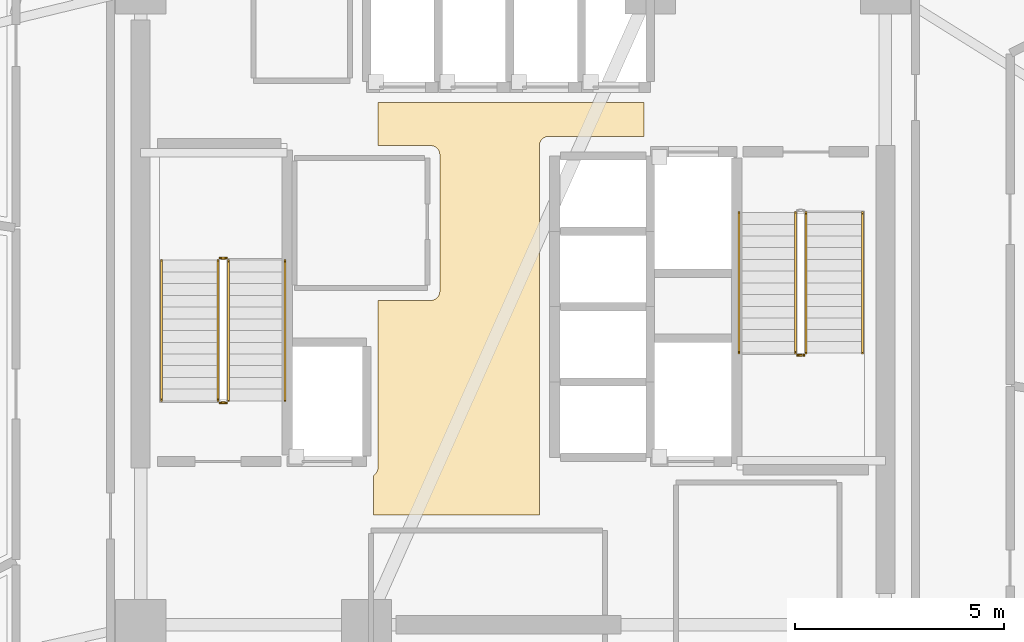
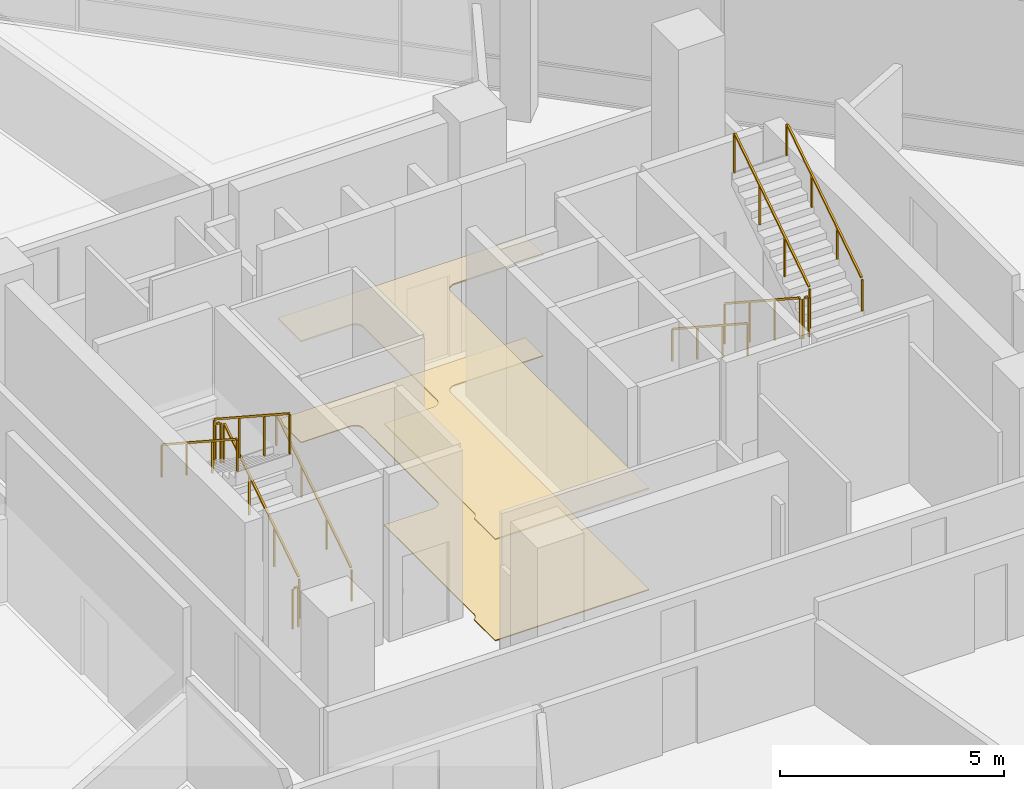
# One storey, part 16 of 18: 11 railings, 2 coverings.
"""IFC4 building model written with IfcOpenShell, lengths in metres."""

from ifc_helpers import new_model, si_unit, direction, frame, origin, origin_2d, place, context, subcontext, project, spatial, polyline, rectangle, outline, extrude, material, layer, layer_set, type_object, element, save


model = new_model("IFC4")

# Units and contexts
model_context = context("Model", 3, precision=1e-05, world=origin(), true_north=direction((0.0, 1.0)))
body_context = subcontext(model_context, "Body", "Model", "MODEL_VIEW")
ifc_project = project(units=[si_unit("LENGTHUNIT", "METRE"), si_unit("AREAUNIT", "SQUARE_METRE"), si_unit("VOLUMEUNIT", "CUBIC_METRE"), si_unit("PLANEANGLEUNIT", "RADIAN"), si_unit("MASSUNIT", "GRAM", prefix="KILO")], contexts=[model_context])

# Site, building, storey
site_placement = place(None, origin())
site = spatial("IfcSite", under=ifc_project, at=site_placement, CompositionType="ELEMENT")
building_placement = place(site_placement, origin())
building = spatial("IfcBuilding", under=site, at=building_placement, Name="Tharavind Bronze Gate", CompositionType="ELEMENT")
storey_placement = place(building_placement, frame((0.0, 0.0, 107.699951171875)))
storey = spatial("IfcBuildingStorey", under=building, at=storey_placement, Name="L27", CompositionType="ELEMENT", Elevation=107.699951171875)

# Coverings
ifc_material_1 = material(Name="Perforated Bronze Acoustic Panel", Category="bronze")
ifc_layer_1 = layer(ifc_material_1, 0.044921875)
ifc_layer_set_1 = layer_set([ifc_layer_1], Name="Perforated Bronze Acoustic Panel")
covering_type_1 = type_object("IfcCoveringType", Name="ACOUSTIC BRONZE BAFFLE CEILING", PredefinedType="CEILING", material=ifc_layer_set_1)
covering_1_placement = place(storey_placement, frame((0.0, 0.0, 2.75)))
element("IfcCovering", 1, at=covering_1_placement, inside=storey, type_object=covering_type_1, Name="L27-C-LL suspended ceiling", PredefinedType="CEILING", context=body_context, shape_type="SweptSolid", body=[
    extrude(outline(polyline([(-3.330078125, -4.97998046875), (0.6298828125, -4.97998046875), (0.6298828125, 3.85009765625), (0.631103515625, 3.87158203125), (0.63427734375, 3.892822265625), (0.639404296875, 3.913818359375), (0.646728515625, 3.93408203125), (0.656005859375, 3.95361328125), (0.6669921875, 3.97216796875), (0.679931640625, 3.989501953125), (0.6943359375, 4.005615234375), (0.71044921875, 4.02001953125), (0.727783203125, 4.032958984375), (0.746337890625, 4.0439453125), (0.765869140625, 4.05322265625), (0.7861328125, 4.060546875), (0.80712890625, 4.06591796875), (0.828369140625, 4.06884765625), (0.85009765625, 4.070068359375), (3.1298828125, 4.070068359375), (3.1298828125, 4.8798828125), (-3.22998046875, 4.8798828125), (-3.22998046875, 3.85009765625), (-1.969970703125, 3.85009765625), (-1.948486328125, 3.848876953125), (-1.927001953125, 3.845703125), (-1.906005859375, 3.840576171875), (-1.8857421875, 3.833251953125), (-1.8662109375, 3.823974609375), (-1.847900390625, 3.81298828125), (-1.830322265625, 3.800048828125), (-1.814453125, 3.78564453125), (-1.7998046875, 3.76953125), (-1.787109375, 3.752197265625), (-1.77587890625, 3.733642578125), (-1.7666015625, 3.714111328125), (-1.759521484375, 3.69384765625), (-1.754150390625, 3.6728515625), (-1.751220703125, 3.651611328125), (-1.75, 3.6298828125), (-1.75, 0.3701171875), (-1.751220703125, 0.348388671875), (-1.754150390625, 0.3271484375), (-1.759521484375, 0.30615234375), (-1.7666015625, 0.285888671875), (-1.77587890625, 0.266357421875), (-1.787109375, 0.247802734375), (-1.7998046875, 0.23046875), (-1.814453125, 0.21435546875), (-1.830322265625, 0.199951171875), (-1.847900390625, 0.18701171875), (-1.8662109375, 0.176025390625), (-1.8857421875, 0.166748046875), (-1.906005859375, 0.159423828125), (-1.927001953125, 0.154296875), (-1.948486328125, 0.151123046875), (-1.969970703125, 0.14990234375), (-3.22998046875, 0.14990234375), (-3.22998046875, -3.85009765625), (-3.231201171875, -3.87158203125), (-3.234130859375, -3.892822265625), (-3.239501953125, -3.913818359375), (-3.24658203125, -3.93408203125), (-3.256103515625, -3.95361328125), (-3.26708984375, -3.97216796875), (-3.27978515625, -3.989501953125), (-3.29443359375, -4.005615234375), (-3.310302734375, -4.02001953125), (-3.327880859375, -4.032958984375), (-3.330078125, -4.0341796875), (-3.330078125, -4.97998046875)])), origin(), (0.0, 0.0, 1.0), 0.03515625),
])
ifc_material_2 = material(Name="Honed Travertine Limestone", Category="masonry")
ifc_layer_2 = layer(ifc_material_2, 0.030029296875)
ifc_layer_set_2 = layer_set([ifc_layer_2], Name="Honed Travertine Limestone")
covering_type_2 = type_object("IfcCoveringType", Name="HONED LIMESTONE FLOORING", PredefinedType="FLOORING", material=ifc_layer_set_2)
covering_2_placement = place(storey_placement, origin())
element("IfcCovering", 2, at=covering_2_placement, inside=storey, type_object=covering_type_2, Name="L27-C-LL floor finish", PredefinedType="FLOORING", context=body_context, shape_type="SweptSolid", body=[
    extrude(outline(polyline([(-3.330078125, -4.97998046875), (0.6298828125, -4.97998046875), (0.6298828125, 3.85009765625), (0.631103515625, 3.87158203125), (0.63427734375, 3.892822265625), (0.639404296875, 3.913818359375), (0.646728515625, 3.93408203125), (0.656005859375, 3.95361328125), (0.6669921875, 3.97216796875), (0.679931640625, 3.989501953125), (0.6943359375, 4.005615234375), (0.71044921875, 4.02001953125), (0.727783203125, 4.032958984375), (0.746337890625, 4.0439453125), (0.765869140625, 4.05322265625), (0.7861328125, 4.060546875), (0.80712890625, 4.06591796875), (0.828369140625, 4.06884765625), (0.85009765625, 4.070068359375), (3.1298828125, 4.070068359375), (3.1298828125, 4.8798828125), (-3.22998046875, 4.8798828125), (-3.22998046875, 3.85009765625), (-1.969970703125, 3.85009765625), (-1.948486328125, 3.848876953125), (-1.927001953125, 3.845703125), (-1.906005859375, 3.840576171875), (-1.8857421875, 3.833251953125), (-1.8662109375, 3.823974609375), (-1.847900390625, 3.81298828125), (-1.830322265625, 3.800048828125), (-1.814453125, 3.78564453125), (-1.7998046875, 3.76953125), (-1.787109375, 3.752197265625), (-1.77587890625, 3.733642578125), (-1.7666015625, 3.714111328125), (-1.759521484375, 3.69384765625), (-1.754150390625, 3.6728515625), (-1.751220703125, 3.651611328125), (-1.75, 3.6298828125), (-1.75, 0.3701171875), (-1.751220703125, 0.348388671875), (-1.754150390625, 0.3271484375), (-1.759521484375, 0.30615234375), (-1.7666015625, 0.285888671875), (-1.77587890625, 0.266357421875), (-1.787109375, 0.247802734375), (-1.7998046875, 0.23046875), (-1.814453125, 0.21435546875), (-1.830322265625, 0.199951171875), (-1.847900390625, 0.18701171875), (-1.8662109375, 0.176025390625), (-1.8857421875, 0.166748046875), (-1.906005859375, 0.159423828125), (-1.927001953125, 0.154296875), (-1.948486328125, 0.151123046875), (-1.969970703125, 0.14990234375), (-3.22998046875, 0.14990234375), (-3.22998046875, -3.85009765625), (-3.231201171875, -3.87158203125), (-3.234130859375, -3.892822265625), (-3.239501953125, -3.913818359375), (-3.24658203125, -3.93408203125), (-3.256103515625, -3.95361328125), (-3.26708984375, -3.97216796875), (-3.27978515625, -3.989501953125), (-3.29443359375, -4.005615234375), (-3.310302734375, -4.02001953125), (-3.327880859375, -4.032958984375), (-3.330078125, -4.0341796875), (-3.330078125, -4.97998046875)])), origin(), (0.0, 0.0, 1.0), 0.025146484375),
])

# Railings
ifc_material_3 = material(Name="Brushed Bronze Alloy", Category="metal")
railing_type_1 = type_object("IfcRailingType", Name="STAIR BRONZE HANDRAIL 900", PredefinedType="HANDRAIL", material=ifc_material_3)
railing_1_placement = place(storey_placement, frame((-5.449951171875, -2.25, 0.182861328125)))
element("IfcRailing", 3, at=railing_1_placement, inside=storey, type_object=railing_type_1, Name="L27 ST1 stair handrail 1", PredefinedType="HANDRAIL", context=body_context, shape_type="SweptSolid", body=[
    extrude(rectangle(XDim=0.048095703125, YDim=0.048095703125, at=origin_2d()), frame((0.0, 0.02685546875, 0.893310546875), z_axis=(0.0, 0.837523422355, 0.546401424785), x_axis=(-1.0, 0.0, 0.0)), (0.0, 0.0, 1.0), 3.947998046875),
    extrude(rectangle(XDim=0.0400390625, YDim=0.0400390625, at=origin_2d()), origin(), (0.0, 0.0, 1.0), 0.847900390625),
    extrude(rectangle(XDim=0.0400390625, YDim=0.0400390625, at=origin_2d()), frame((0.0, 1.1201171875, 0.730712890625)), (0.0, 0.0, 1.0), 0.847900390625),
    extrude(rectangle(XDim=0.0400390625, YDim=0.0400390625, at=origin_2d()), frame((0.0, 2.239990234375, 1.46142578125)), (0.0, 0.0, 1.0), 0.847900390625),
    extrude(rectangle(XDim=0.0400390625, YDim=0.0400390625, at=origin_2d()), frame((0.0, 3.360107421875, 2.192138671875)), (0.0, 0.0, 1.0), 0.847900390625),
])
for number, where, name in (
    (4, (-8.39990234375, 1.110107421875, 2.557861328125), "L27 ST1 stair handrail 2"),
    (5, (5.39990234375, 2.25, 0.182861328125), "L27 ST2 stair handrail 1"),
):
    element("IfcRailing", number, at=place(storey_placement, frame(where)), inside=storey, type_object=railing_type_1, Name=name, PredefinedType="HANDRAIL", context=body_context, shape_type="SweptSolid", body=[
        extrude(rectangle(XDim=0.048095703125, YDim=0.048095703125, at=origin_2d()), frame((0.0, -0.02685546875, 0.893310546875), z_axis=(0.0, -0.837523422355, 0.546401424785), x_axis=(1.0, 0.0, 0.0)), (0.0, 0.0, 1.0), 3.947998046875),
        extrude(rectangle(XDim=0.0400390625, YDim=0.0400390625, at=origin_2d()), origin(), (0.0, 0.0, 1.0), 0.847900390625),
        extrude(rectangle(XDim=0.0400390625, YDim=0.0400390625, at=origin_2d()), frame((0.0, -1.1201171875, 0.730712890625)), (0.0, 0.0, 1.0), 0.847900390625),
        extrude(rectangle(XDim=0.0400390625, YDim=0.0400390625, at=origin_2d()), frame((0.0, -2.239990234375, 1.46142578125)), (0.0, 0.0, 1.0), 0.847900390625),
        extrude(rectangle(XDim=0.0400390625, YDim=0.0400390625, at=origin_2d()), frame((0.0, -3.360107421875, 2.192138671875)), (0.0, 0.0, 1.0), 0.847900390625),
    ])
railing_2_placement = place(storey_placement, frame((8.35009765625, -1.110107421875, 2.557861328125)))
element("IfcRailing", 6, at=railing_2_placement, inside=storey, type_object=railing_type_1, Name="L27 ST2 stair handrail 2", PredefinedType="HANDRAIL", context=body_context, shape_type="SweptSolid", body=[
    extrude(rectangle(XDim=0.048095703125, YDim=0.048095703125, at=origin_2d()), frame((0.0, 0.02685546875, 0.893310546875), z_axis=(0.0, 0.837523422355, 0.546401424785), x_axis=(-1.0, 0.0, 0.0)), (0.0, 0.0, 1.0), 3.947998046875),
    extrude(rectangle(XDim=0.0400390625, YDim=0.0400390625, at=origin_2d()), origin(), (0.0, 0.0, 1.0), 0.847900390625),
    extrude(rectangle(XDim=0.0400390625, YDim=0.0400390625, at=origin_2d()), frame((0.0, 1.1201171875, 0.730712890625)), (0.0, 0.0, 1.0), 0.847900390625),
    extrude(rectangle(XDim=0.0400390625, YDim=0.0400390625, at=origin_2d()), frame((0.0, 2.239990234375, 1.46142578125)), (0.0, 0.0, 1.0), 0.847900390625),
    extrude(rectangle(XDim=0.0400390625, YDim=0.0400390625, at=origin_2d()), frame((0.0, 3.360107421875, 2.192138671875)), (0.0, 0.0, 1.0), 0.847900390625),
])
railing_type_2 = type_object("IfcRailingType", Name="STAIR WELL GUARD RAILING 1120", PredefinedType="GUARDRAIL", material=ifc_material_3)
railing_3_placement = place(storey_placement, frame((-6.800048828125, -2.25, 0.182861328125)))
element("IfcRailing", 7, at=railing_3_placement, inside=storey, type_object=railing_type_2, Name="L27 ST1 stair guard 1", PredefinedType="GUARDRAIL", context=body_context, shape_type="SweptSolid", body=[
    extrude(rectangle(XDim=0.048095703125, YDim=0.048095703125, at=origin_2d()), frame((0.0, 0.02685546875, 1.113525390625), z_axis=(0.0, 0.837523422355, 0.546401424785), x_axis=(-1.0, 0.0, 0.0)), (0.0, 0.0, 1.0), 3.947998046875),
    extrude(rectangle(XDim=0.0400390625, YDim=0.0400390625, at=origin_2d()), origin(), (0.0, 0.0, 1.0), 1.068115234375),
    extrude(rectangle(XDim=0.0400390625, YDim=0.0400390625, at=origin_2d()), frame((0.0, 1.1201171875, 0.730712890625)), (0.0, 0.0, 1.0), 1.068115234375),
    extrude(rectangle(XDim=0.0400390625, YDim=0.0400390625, at=origin_2d()), frame((0.0, 2.239990234375, 1.46142578125)), (0.0, 0.0, 1.0), 1.068115234375),
    extrude(rectangle(XDim=0.0400390625, YDim=0.0400390625, at=origin_2d()), frame((0.0, 3.360107421875, 2.192138671875)), (0.0, 0.0, 1.0), 1.068115234375),
])
railing_4_placement = place(storey_placement, frame((-6.85009765625, 1.159912109375, 2.375)))
element("IfcRailing", 8, at=railing_4_placement, inside=storey, type_object=railing_type_2, Name="L27 ST1 stair guard 2", PredefinedType="GUARDRAIL", context=body_context, shape_type="SweptSolid", body=[
    extrude(rectangle(XDim=0.048095703125, YDim=0.048095703125, at=origin_2d()), frame((-0.031982421875, 0.0, 1.09619140625), z_axis=(-1.0, 0.0, 0.0), x_axis=(0.0, -1.0, 0.0)), (0.0, 0.0, 1.0), 0.0859375),
    extrude(rectangle(XDim=0.0400390625, YDim=0.0400390625, at=origin_2d()), origin(), (0.0, 0.0, 1.0), 1.068115234375),
    extrude(rectangle(XDim=0.0400390625, YDim=0.0400390625, at=origin_2d()), frame((-0.14990234375, 0.0, 0.0)), (0.0, 0.0, 1.0), 1.068115234375),
])
railing_5_placement = place(storey_placement, frame((-7.050048828125, 1.110107421875, 2.557861328125)))
element("IfcRailing", 9, at=railing_5_placement, inside=storey, type_object=railing_type_2, Name="L27 ST1 stair guard 3", PredefinedType="GUARDRAIL", context=body_context, shape_type="SweptSolid", body=[
    extrude(rectangle(XDim=0.048095703125, YDim=0.048095703125, at=origin_2d()), frame((0.0, -0.02685546875, 1.113525390625), z_axis=(0.0, -0.837523422355, 0.546401424785), x_axis=(1.0, 0.0, 0.0)), (0.0, 0.0, 1.0), 3.947998046875),
    extrude(rectangle(XDim=0.0400390625, YDim=0.0400390625, at=origin_2d()), origin(), (0.0, 0.0, 1.0), 1.068115234375),
    extrude(rectangle(XDim=0.0400390625, YDim=0.0400390625, at=origin_2d()), frame((0.0, -1.1201171875, 0.730712890625)), (0.0, 0.0, 1.0), 1.068115234375),
    extrude(rectangle(XDim=0.0400390625, YDim=0.0400390625, at=origin_2d()), frame((0.0, -2.239990234375, 1.46142578125)), (0.0, 0.0, 1.0), 1.068115234375),
    extrude(rectangle(XDim=0.0400390625, YDim=0.0400390625, at=origin_2d()), frame((0.0, -3.360107421875, 2.192138671875)), (0.0, 0.0, 1.0), 1.068115234375),
])
railing_6_placement = place(storey_placement, frame((-6.85009765625, -2.300048828125, 0.0)))
element("IfcRailing", 10, at=railing_6_placement, inside=storey, type_object=railing_type_2, Name="L27 ST1 stair guard 4", PredefinedType="GUARDRAIL", context=body_context, shape_type="SweptSolid", body=[
    extrude(rectangle(XDim=0.048095703125, YDim=0.048095703125, at=origin_2d()), frame((-0.031982421875, 0.0, 1.09619140625), z_axis=(-1.0, 0.0, 0.0), x_axis=(0.0, -1.0, 0.0)), (0.0, 0.0, 1.0), 0.0859375),
    extrude(rectangle(XDim=0.0400390625, YDim=0.0400390625, at=origin_2d()), origin(), (0.0, 0.0, 1.0), 1.068115234375),
    extrude(rectangle(XDim=0.0400390625, YDim=0.0400390625, at=origin_2d()), frame((-0.14990234375, 0.0, 0.0)), (0.0, 0.0, 1.0), 1.068115234375),
])
railing_7_placement = place(storey_placement, frame((6.75, 2.25, 0.182861328125)))
element("IfcRailing", 11, at=railing_7_placement, inside=storey, type_object=railing_type_2, Name="L27 ST2 stair guard 1", PredefinedType="GUARDRAIL", context=body_context, shape_type="SweptSolid", body=[
    extrude(rectangle(XDim=0.048095703125, YDim=0.048095703125, at=origin_2d()), frame((0.0, -0.02685546875, 1.113525390625), z_axis=(0.0, -0.837523422355, 0.546401424785), x_axis=(1.0, 0.0, 0.0)), (0.0, 0.0, 1.0), 3.947998046875),
    extrude(rectangle(XDim=0.0400390625, YDim=0.0400390625, at=origin_2d()), origin(), (0.0, 0.0, 1.0), 1.068115234375),
    extrude(rectangle(XDim=0.0400390625, YDim=0.0400390625, at=origin_2d()), frame((0.0, -1.1201171875, 0.730712890625)), (0.0, 0.0, 1.0), 1.068115234375),
    extrude(rectangle(XDim=0.0400390625, YDim=0.0400390625, at=origin_2d()), frame((0.0, -2.239990234375, 1.46142578125)), (0.0, 0.0, 1.0), 1.068115234375),
    extrude(rectangle(XDim=0.0400390625, YDim=0.0400390625, at=origin_2d()), frame((0.0, -3.360107421875, 2.192138671875)), (0.0, 0.0, 1.0), 1.068115234375),
])
railing_8_placement = place(storey_placement, frame((6.800048828125, -1.159912109375, 2.375)))
element("IfcRailing", 12, at=railing_8_placement, inside=storey, type_object=railing_type_2, Name="L27 ST2 stair guard 2", PredefinedType="GUARDRAIL", context=body_context, shape_type="SweptSolid", body=[
    extrude(rectangle(XDim=0.048095703125, YDim=0.048095703125, at=origin_2d()), frame((0.031982421875, 0.0, 1.09619140625), z_axis=(1.0, 0.0, 0.0), x_axis=(0.0, 1.0, 0.0)), (0.0, 0.0, 1.0), 0.0859375),
    extrude(rectangle(XDim=0.0400390625, YDim=0.0400390625, at=origin_2d()), origin(), (0.0, 0.0, 1.0), 1.068115234375),
    extrude(rectangle(XDim=0.0400390625, YDim=0.0400390625, at=origin_2d()), frame((0.14990234375, 0.0, 0.0)), (0.0, 0.0, 1.0), 1.068115234375),
])
railing_9_placement = place(storey_placement, frame((7.0, -1.110107421875, 2.557861328125)))
element("IfcRailing", 13, at=railing_9_placement, inside=storey, type_object=railing_type_2, Name="L27 ST2 stair guard 3", PredefinedType="GUARDRAIL", context=body_context, shape_type="SweptSolid", body=[
    extrude(rectangle(XDim=0.048095703125, YDim=0.048095703125, at=origin_2d()), frame((0.0, 0.02685546875, 1.113525390625), z_axis=(0.0, 0.837523422355, 0.546401424785), x_axis=(-1.0, 0.0, 0.0)), (0.0, 0.0, 1.0), 3.947998046875),
    extrude(rectangle(XDim=0.0400390625, YDim=0.0400390625, at=origin_2d()), origin(), (0.0, 0.0, 1.0), 1.068115234375),
    extrude(rectangle(XDim=0.0400390625, YDim=0.0400390625, at=origin_2d()), frame((0.0, 1.1201171875, 0.730712890625)), (0.0, 0.0, 1.0), 1.068115234375),
    extrude(rectangle(XDim=0.0400390625, YDim=0.0400390625, at=origin_2d()), frame((0.0, 2.239990234375, 1.46142578125)), (0.0, 0.0, 1.0), 1.068115234375),
    extrude(rectangle(XDim=0.0400390625, YDim=0.0400390625, at=origin_2d()), frame((0.0, 3.360107421875, 2.192138671875)), (0.0, 0.0, 1.0), 1.068115234375),
])

save(model, "model.ifc")
